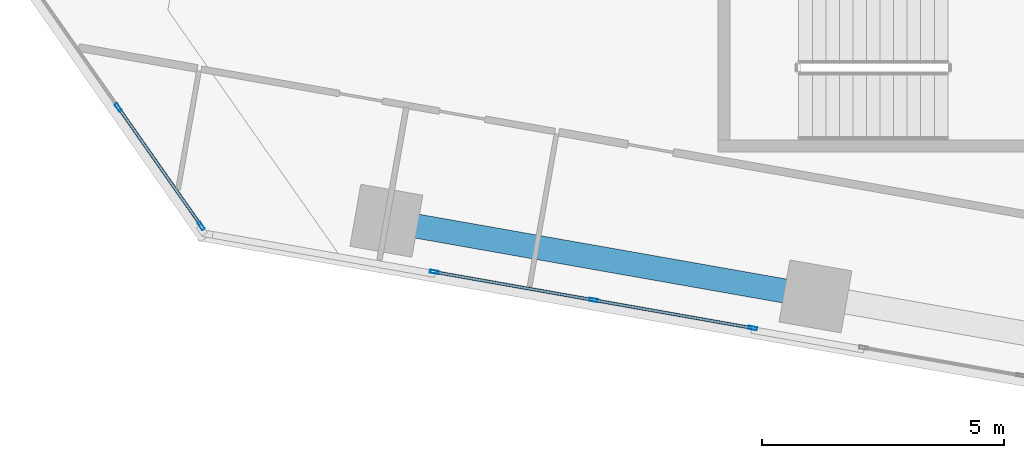
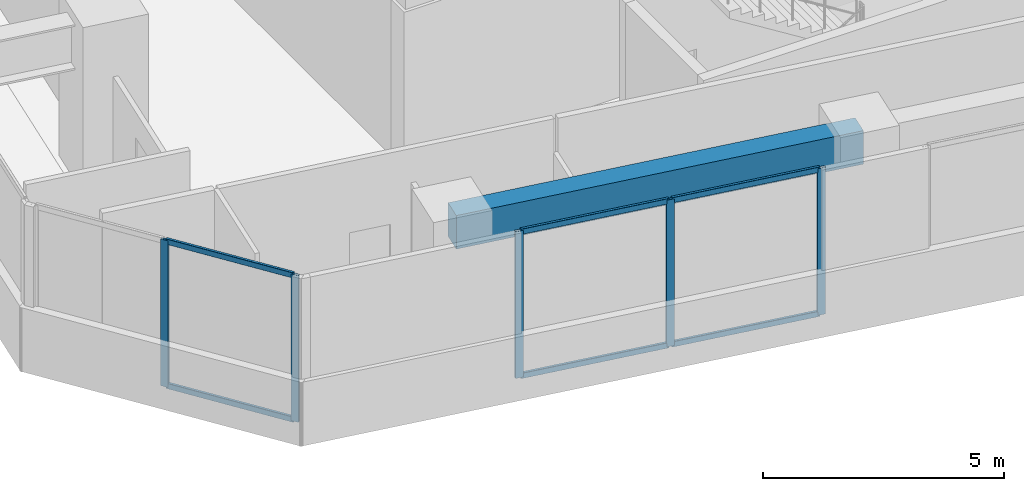
# One storey, part 2 of 24: 11 members, 1 beam, 2 elements without a shape of their own.
"""IFC4 building model written with IfcOpenShell, lengths in metres."""

from ifc_helpers import new_model, si_unit, direction, frame, origin, origin_2d, place, context, subcontext, project, spatial, rectangle, hollow_rectangle, extrude, source, transform, mapped, material, material_profile, profile_set, type_object, element, aggregate, save


model = new_model("IFC4")

# Units and contexts
model_context = context("Model", 3, precision=1e-05, world=origin(), true_north=direction((0.0, 1.0)))
body_context = subcontext(model_context, "Body", "Model", "MODEL_VIEW")
ifc_project = project(units=[si_unit("LENGTHUNIT", "METRE"), si_unit("AREAUNIT", "SQUARE_METRE"), si_unit("VOLUMEUNIT", "CUBIC_METRE"), si_unit("PLANEANGLEUNIT", "RADIAN"), si_unit("MASSUNIT", "GRAM", prefix="KILO")], contexts=[model_context])

# Site, building, storey
site_placement = place(None, origin())
site = spatial("IfcSite", under=ifc_project, at=site_placement, CompositionType="ELEMENT")
building_placement = place(site_placement, origin())
building = spatial("IfcBuilding", under=site, at=building_placement, Name="Torre Montelarca", CompositionType="ELEMENT")
storey_placement = place(building_placement, frame((0.0, 0.0, 74.800048828125)))
storey = spatial("IfcBuildingStorey", under=building, at=storey_placement, Name="L16", CompositionType="ELEMENT", Elevation=74.800048828125)

# Beam
ifc_material_1 = material(Name="Concrete C55/67", Category="concrete")
ifc_material_profile_1 = material_profile(ifc_material_1, rectangle(XDim=0.5, YDim=0.85009765625, at=origin_2d()), Name="RCB500X850", Category="concrete")
ifc_profile_set_1 = profile_set([ifc_material_profile_1], Name="Concrete C55/67")
beam_type = type_object("IfcBeamType", Name="BM-SP-RC850-EXT", PredefinedType="SPANDREL", material=ifc_profile_set_1)
shared_shape_1 = source(origin(), body_context, "Body", "SweptSolid", [
    extrude(rectangle(XDim=0.5, YDim=0.85009765625, at=origin_2d()), origin(), (0.0, 0.0, 1.0), 9.0),
])
beam_placement = place(storey_placement, frame((6.203125, 17.23193359375, 3.534912109375), z_axis=(0.984809491212, -0.173638319558, 0.0), x_axis=(0.173638319558, 0.984809491212, 0.0)))
element("IfcBeam", 1, at=beam_placement, inside=storey, type_object=beam_type, Name="L16 Grid Girder X 9.0-18.0 at Y=14.8", PredefinedType="SPANDREL", context=body_context, shape_type="MappedRepresentation", body=[
    mapped(shared_shape_1, transform((0.0, 0.0, 0.0), scale=1.0)),
])

# Curtain wall, members
ifc_material_2 = material(Name="Insulated low-E laminated glass", Category="glass")
curtain_wall_type = type_object("IfcCurtainWallType", Name="CW-SYS-Z1", PredefinedType="USERDEFINED", material=ifc_material_2)
curtain_wall_1_placement = place(storey_placement, origin())
curtain_wall_1 = element("IfcCurtainWall", 2, at=curtain_wall_1_placement, inside=storey, type_object=curtain_wall_type, Name="L16 Curtain Wall Run CW-T3-L16-E01-B1", ObjectType="UNITISED GLAZING", PredefinedType="USERDEFINED")
ifc_material_3 = material(Name="Anodised aluminium AA 6063-T6", Category="aluminium")
ifc_material_profile_2 = material_profile(ifc_material_3, hollow_rectangle(XDim=0.06494140625, YDim=0.139892578125, WallThickness=0.00390625, InnerFilletRadius=0.00390625, OuterFilletRadius=0.008056640625, at=origin_2d()), Name="ALU65X140X4", Category="aluminium")
ifc_profile_set_2 = profile_set([ifc_material_profile_2], Name="Anodised aluminium AA 6063-T6")
member_type_1 = type_object("IfcMemberType", Name="CWT-ALU140", PredefinedType="USERDEFINED", material=ifc_profile_set_2)
shared_shape_2 = source(origin(), body_context, "Body", "SweptSolid", [
    extrude(hollow_rectangle(XDim=0.06494140625, YDim=0.139892578125, WallThickness=0.00390625, InnerFilletRadius=0.00390625, OuterFilletRadius=0.008056640625, at=origin_2d()), origin(), (0.0, 0.0, 1.0), 3.2724609375),
])
member_1_placement = place(storey_placement, frame((7.22900390625, 16.167724609375, 0.032470703125), z_axis=(0.984801579175, -0.1736831876, 0.0), x_axis=(0.1736831876, 0.984801579175, 0.0)))
member_1 = element("IfcMember", 3, at=member_1_placement, type_object=member_type_1, Name="CW transom 1.1", ObjectType="TRANSOM", PredefinedType="USERDEFINED", context=body_context, shape_type="MappedRepresentation", body=[
    mapped(shared_shape_2, transform((0.0, 0.0, 0.0), scale=1.0)),
])
member_2_placement = place(storey_placement, frame((7.22900390625, 16.167724609375, 3.6875), z_axis=(0.984801579175, -0.1736831876, 0.0), x_axis=(0.1736831876, 0.984801579175, 0.0)))
member_2 = element("IfcMember", 4, at=member_2_placement, type_object=member_type_1, Name="CW transom 1.2", ObjectType="TRANSOM", PredefinedType="USERDEFINED", context=body_context, shape_type="MappedRepresentation", body=[
    mapped(shared_shape_2, transform((0.0, 0.0, 0.0), scale=1.0)),
])
member_3_placement = place(storey_placement, frame((10.515869140625, 15.588134765625, 0.032470703125), z_axis=(0.984801579175, -0.1736831876, 0.0), x_axis=(0.1736831876, 0.984801579175, 0.0)))
member_3 = element("IfcMember", 5, at=member_3_placement, type_object=member_type_1, Name="CW transom 2.1", ObjectType="TRANSOM", PredefinedType="USERDEFINED", context=body_context, shape_type="MappedRepresentation", body=[
    mapped(shared_shape_2, transform((0.0, 0.0, 0.0), scale=1.0)),
])
member_4_placement = place(storey_placement, frame((10.515869140625, 15.588134765625, 3.6875), z_axis=(0.984801579175, -0.1736831876, 0.0), x_axis=(0.1736831876, 0.984801579175, 0.0)))
member_4 = element("IfcMember", 6, at=member_4_placement, type_object=member_type_1, Name="CW transom 2.2", ObjectType="TRANSOM", PredefinedType="USERDEFINED", context=body_context, shape_type="MappedRepresentation", body=[
    mapped(shared_shape_2, transform((0.0, 0.0, 0.0), scale=1.0)),
])

curtain_wall_2_placement = place(storey_placement, origin())
curtain_wall_2 = element("IfcCurtainWall", 7, at=curtain_wall_2_placement, inside=storey, type_object=curtain_wall_type, Name="L16 Curtain Wall Run CW-T3-L16-E11-B1", ObjectType="UNITISED GLAZING", PredefinedType="USERDEFINED")
shared_shape_3 = source(origin(), body_context, "Body", "SweptSolid", [
    extrude(hollow_rectangle(XDim=0.06494140625, YDim=0.139892578125, WallThickness=0.00390625, InnerFilletRadius=0.00390625, OuterFilletRadius=0.008056640625, at=origin_2d()), origin(), (0.0, 0.0, 1.0), 2.91845703125),
])
member_5_placement = place(storey_placement, frame((0.685791015625, 19.544189453125, 0.032470703125), z_axis=(0.573512870865, -0.819196549646, 0.0), x_axis=(0.819196549646, 0.573512870865, 0.0)))
member_5 = element("IfcMember", 8, at=member_5_placement, type_object=member_type_1, Name="CW transom 2.1", ObjectType="TRANSOM", PredefinedType="USERDEFINED", context=body_context, shape_type="MappedRepresentation", body=[
    mapped(shared_shape_3, transform((0.0, 0.0, 0.0), scale=1.0)),
])
member_6_placement = place(storey_placement, frame((0.685791015625, 19.544189453125, 3.6875), z_axis=(0.573512870865, -0.819196549646, 0.0), x_axis=(0.819196549646, 0.573512870865, 0.0)))
member_6 = element("IfcMember", 9, at=member_6_placement, type_object=member_type_1, Name="CW transom 2.2", ObjectType="TRANSOM", PredefinedType="USERDEFINED", context=body_context, shape_type="MappedRepresentation", body=[
    mapped(shared_shape_3, transform((0.0, 0.0, 0.0), scale=1.0)),
])

# Member
ifc_material_profile_3 = material_profile(ifc_material_3, hollow_rectangle(XDim=0.06494140625, YDim=0.179931640625, WallThickness=0.00390625, InnerFilletRadius=0.00390625, OuterFilletRadius=0.008056640625, at=origin_2d()), Name="ALU65X180X4", Category="aluminium")
ifc_profile_set_3 = profile_set([ifc_material_profile_3], Name="Anodised aluminium AA 6063-T6")
member_type_2 = type_object("IfcMemberType", Name="CWM-ALU180", PredefinedType="MULLION", material=ifc_profile_set_3)
shared_shape_4 = source(origin(), body_context, "Body", "SweptSolid", [
    extrude(hollow_rectangle(XDim=0.06494140625, YDim=0.179931640625, WallThickness=0.00390625, InnerFilletRadius=0.00390625, OuterFilletRadius=0.008056640625, at=origin_2d()), origin(), (0.0, 0.0, 1.0), 3.719970703125),
])
member_7_placement = place(storey_placement, frame((7.197021484375, 16.17333984375, 0.0), z_axis=(0.0, 0.0, 1.0), x_axis=(0.173652446425, 0.984807000305, 0.0)))
member_7 = element("IfcMember", 10, at=member_7_placement, type_object=member_type_2, Name="CW mullion 1", PredefinedType="MULLION", context=body_context, shape_type="MappedRepresentation", body=[
    mapped(shared_shape_4, transform((0.0, 0.0, 0.0), scale=1.0)),
])

member_8_placement = place(storey_placement, frame((10.483642578125, 15.59375, 0.0), z_axis=(0.0, 0.0, 1.0), x_axis=(0.173652446425, 0.984807000305, 0.0)))
member_8 = element("IfcMember", 11, at=member_8_placement, type_object=member_type_2, Name="CW mullion 2", PredefinedType="MULLION", context=body_context, shape_type="MappedRepresentation", body=[
    mapped(shared_shape_4, transform((0.0, 0.0, 0.0), scale=1.0)),
])

member_9_placement = place(storey_placement, frame((13.7705078125, 15.01416015625, 0.0), z_axis=(0.0, 0.0, 1.0), x_axis=(0.173652446425, 0.984807000305, 0.0)))
member_9 = element("IfcMember", 12, at=member_9_placement, type_object=member_type_2, Name="CW mullion 3", PredefinedType="MULLION", context=body_context, shape_type="MappedRepresentation", body=[
    mapped(shared_shape_4, transform((0.0, 0.0, 0.0), scale=1.0)),
])

aggregate(curtain_wall_1, [member_7, member_8, member_9, member_1, member_2, member_3, member_4])

member_10_placement = place(storey_placement, frame((0.6669921875, 19.57080078125, 0.0), z_axis=(0.0, 0.0, 1.0), x_axis=(0.819173505874, 0.573545784811, 0.0)))
member_10 = element("IfcMember", 13, at=member_10_placement, type_object=member_type_2, Name="CW mullion 2", PredefinedType="MULLION", context=body_context, shape_type="MappedRepresentation", body=[
    mapped(shared_shape_4, transform((0.0, 0.0, 0.0), scale=1.0)),
])

member_11_placement = place(storey_placement, frame((2.37841796875, 17.126708984375, 0.0), z_axis=(0.0, 0.0, 1.0), x_axis=(0.819173505874, 0.573545784811, 0.0)))
member_11 = element("IfcMember", 14, at=member_11_placement, type_object=member_type_2, Name="CW mullion 3", PredefinedType="MULLION", context=body_context, shape_type="MappedRepresentation", body=[
    mapped(shared_shape_4, transform((0.0, 0.0, 0.0), scale=1.0)),
])

aggregate(curtain_wall_2, [member_10, member_11, member_5, member_6])

save(model, "model.ifc")
